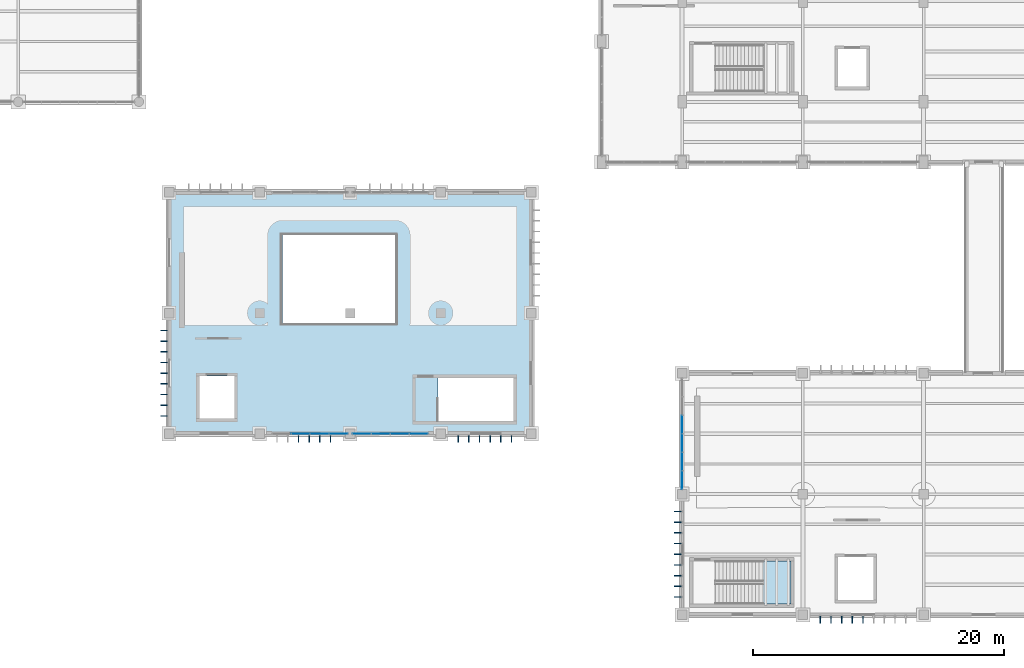
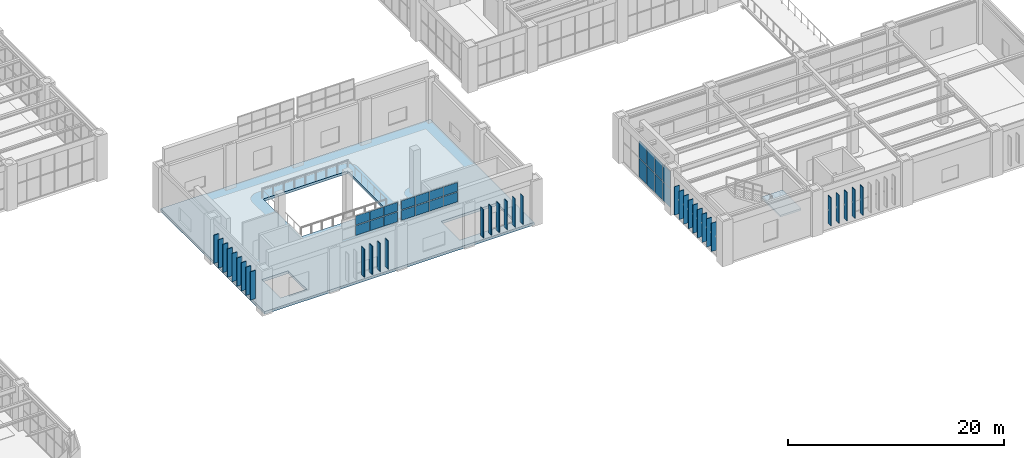
# One storey, part 126 of 174: 55 plates, 2 slabs, 4 elements without a shape of their own.
"""IFC4 building model written with IfcOpenShell, lengths in metres."""

from ifc_helpers import new_model, si_unit, direction, frame, origin, origin_2d, place, context, subcontext, project, spatial, polyline, rectangle, outline, extrude, material, layer, layer_set, type_object, element, aggregate, save


model = new_model("IFC4")

# Units and contexts
model_context = context("Model", 3, precision=1e-05, world=origin(), true_north=direction((0.0, 1.0)))
body_context = subcontext(model_context, "Body", "Model", "MODEL_VIEW")
ifc_project = project(units=[si_unit("LENGTHUNIT", "METRE"), si_unit("AREAUNIT", "SQUARE_METRE"), si_unit("VOLUMEUNIT", "CUBIC_METRE"), si_unit("PLANEANGLEUNIT", "RADIAN"), si_unit("MASSUNIT", "GRAM", prefix="KILO")], contexts=[model_context])

# Site, building, storey
site_placement = place(None, origin())
site = spatial("IfcSite", under=ifc_project, at=site_placement, CompositionType="ELEMENT")
building_placement = place(site_placement, origin())
building = spatial("IfcBuilding", under=site, at=building_placement, Name="Mavantir Sound Aquarium", CompositionType="ELEMENT")
storey_placement = place(building_placement, frame((0.0, 0.0, 5.39990234375)))
storey = spatial("IfcBuildingStorey", under=building, at=storey_placement, Name="L01", CompositionType="ELEMENT", Elevation=5.39990234375)

# Curtain wall, plates
ifc_material_1 = material(Name="Anodised Marine Aluminium and Low-E Glass", Category="aluminium")
curtain_wall_type_1 = type_object("IfcCurtainWallType", Name="CW-T01", PredefinedType="USERDEFINED", material=ifc_material_1)
curtain_wall_1_placement = place(storey_placement, origin())
curtain_wall_1 = element("IfcCurtainWall", 1, at=curtain_wall_1_placement, inside=storey, type_object=curtain_wall_type_1, Name="L01 unitised curtain wall CW-01 121", ObjectType="UNITISED GLAZING", PredefinedType="USERDEFINED")
ifc_material_2 = material(Name="Solar-Control Laminated Low-E Glass", Category="glass")
ifc_layer_1 = layer(ifc_material_2, 0.028076171875, Name="Solar-Control Laminated Low-E Glass")
ifc_layer_set_1 = layer_set([ifc_layer_1], Name="Solar-Control Laminated Low-E Glass")
plate_type_1 = type_object("IfcPlateType", Name="CW-PNL-28", PredefinedType="CURTAIN_PANEL", material=ifc_layer_set_1)
plate_1_placement = place(storey_placement, frame((108.0, 15.13623046875, 0.103271484375), z_axis=(0.0, 0.0, 1.0), x_axis=(0.0, -1.0, 0.0)))
plate_1 = element("IfcPlate", 2, at=plate_1_placement, type_object=plate_type_1, Name="CW-L01-121 glazed curtain panel 3.1", PredefinedType="CURTAIN_PANEL", context=body_context, shape_type="SweptSolid", body=[
    extrude(rectangle(XDim=1.42431640625, YDim=0.028076171875, at=origin_2d()), origin(), (0.0, 0.0, 1.0), 2.08447265625),
])
plate_2_placement = place(storey_placement, frame((108.0, 15.13623046875, 2.283447265625), z_axis=(0.0, 0.0, 1.0), x_axis=(0.0, -1.0, 0.0)))
plate_2 = element("IfcPlate", 3, at=plate_2_placement, type_object=plate_type_1, Name="CW-L01-121 glazed curtain panel 3.2", PredefinedType="CURTAIN_PANEL", context=body_context, shape_type="SweptSolid", body=[
    extrude(rectangle(XDim=1.42431640625, YDim=0.028076171875, at=origin_2d()), origin(), (0.0, 0.0, 1.0), 1.91259765625),
])
plate_3_placement = place(storey_placement, frame((108.0, 13.663818359375, 0.103271484375), z_axis=(0.0, 0.0, 1.0), x_axis=(0.0, -1.0, 0.0)))
plate_3 = element("IfcPlate", 4, at=plate_3_placement, type_object=plate_type_1, Name="CW-L01-121 glazed curtain panel 4.1", PredefinedType="CURTAIN_PANEL", context=body_context, shape_type="SweptSolid", body=[
    extrude(rectangle(XDim=1.42431640625, YDim=0.028076171875, at=origin_2d()), origin(), (0.0, 0.0, 1.0), 2.08447265625),
])
plate_4_placement = place(storey_placement, frame((108.0, 13.663818359375, 2.283447265625), z_axis=(0.0, 0.0, 1.0), x_axis=(0.0, -1.0, 0.0)))
plate_4 = element("IfcPlate", 5, at=plate_4_placement, type_object=plate_type_1, Name="CW-L01-121 glazed curtain panel 4.2", PredefinedType="CURTAIN_PANEL", context=body_context, shape_type="SweptSolid", body=[
    extrude(rectangle(XDim=1.42431640625, YDim=0.028076171875, at=origin_2d()), origin(), (0.0, 0.0, 1.0), 1.91259765625),
])
plate_5_placement = place(storey_placement, frame((108.0, 12.19140625, 0.103271484375), z_axis=(0.0, 0.0, 1.0), x_axis=(0.0, -1.0, 0.0)))
plate_5 = element("IfcPlate", 6, at=plate_5_placement, type_object=plate_type_1, Name="CW-L01-121 glazed curtain panel 5.1", PredefinedType="CURTAIN_PANEL", context=body_context, shape_type="SweptSolid", body=[
    extrude(rectangle(XDim=1.42431640625, YDim=0.028076171875, at=origin_2d()), origin(), (0.0, 0.0, 1.0), 2.08447265625),
])
plate_6_placement = place(storey_placement, frame((108.0, 12.19140625, 2.283447265625), z_axis=(0.0, 0.0, 1.0), x_axis=(0.0, -1.0, 0.0)))
plate_6 = element("IfcPlate", 7, at=plate_6_placement, type_object=plate_type_1, Name="CW-L01-121 glazed curtain panel 5.2", PredefinedType="CURTAIN_PANEL", context=body_context, shape_type="SweptSolid", body=[
    extrude(rectangle(XDim=1.42431640625, YDim=0.028076171875, at=origin_2d()), origin(), (0.0, 0.0, 1.0), 1.91259765625),
])
plate_7_placement = place(storey_placement, frame((108.0, 10.71923828125, 0.103271484375), z_axis=(0.0, 0.0, 1.0), x_axis=(0.0, -1.0, 0.0)))
plate_7 = element("IfcPlate", 8, at=plate_7_placement, type_object=plate_type_1, Name="CW-L01-121 glazed curtain panel 6.1", PredefinedType="CURTAIN_PANEL", context=body_context, shape_type="SweptSolid", body=[
    extrude(rectangle(XDim=1.42431640625, YDim=0.028076171875, at=origin_2d()), origin(), (0.0, 0.0, 1.0), 2.08447265625),
])
plate_8_placement = place(storey_placement, frame((108.0, 10.71923828125, 2.283447265625), z_axis=(0.0, 0.0, 1.0), x_axis=(0.0, -1.0, 0.0)))
plate_8 = element("IfcPlate", 9, at=plate_8_placement, type_object=plate_type_1, Name="CW-L01-121 glazed curtain panel 6.2", PredefinedType="CURTAIN_PANEL", context=body_context, shape_type="SweptSolid", body=[
    extrude(rectangle(XDim=1.42431640625, YDim=0.028076171875, at=origin_2d()), origin(), (0.0, 0.0, 1.0), 1.91259765625),
])
aggregate(curtain_wall_1, [plate_1, plate_2, plate_3, plate_4, plate_5, plate_6, plate_7, plate_8])

curtain_wall_type_2 = type_object("IfcCurtainWallType", Name="CW-T16", PredefinedType="USERDEFINED", material=ifc_material_1)
curtain_wall_2_placement = place(storey_placement, origin())
curtain_wall_2 = element("IfcCurtainWall", 10, at=curtain_wall_2_placement, inside=storey, type_object=curtain_wall_type_2, Name="L01 unitised curtain wall CW-16 183", ObjectType="UNITISED GLAZING", PredefinedType="USERDEFINED")
plate_9_placement = place(storey_placement, frame((77.657470703125, 14.39990234375, 5.203125), z_axis=(0.0, 0.0, 1.0), x_axis=(1.0, 0.0, 0.0)))
plate_9 = element("IfcPlate", 11, at=plate_9_placement, type_object=plate_type_1, Name="CW-V7LUN-SW glazed curtain panel 2.1", PredefinedType="CURTAIN_PANEL", context=body_context, shape_type="SweptSolid", body=[
    extrude(rectangle(XDim=1.45703125, YDim=0.028076171875, at=origin_2d()), origin(), (0.0, 0.0, 1.0), 1.096923828125),
])
plate_10_placement = place(storey_placement, frame((77.657470703125, 14.39990234375, 6.39599609375), z_axis=(0.0, 0.0, 1.0), x_axis=(1.0, 0.0, 0.0)))
plate_10 = element("IfcPlate", 12, at=plate_10_placement, type_object=plate_type_1, Name="CW-V7LUN-SW glazed curtain panel 2.2", PredefinedType="CURTAIN_PANEL", context=body_context, shape_type="SweptSolid", body=[
    extrude(rectangle(XDim=1.45703125, YDim=0.028076171875, at=origin_2d()), origin(), (0.0, 0.0, 1.0), 1.0009765625),
])
plate_11_placement = place(storey_placement, frame((79.16259765625, 14.39990234375, 5.203125), z_axis=(0.0, 0.0, 1.0), x_axis=(1.0, 0.0, 0.0)))
plate_11 = element("IfcPlate", 13, at=plate_11_placement, type_object=plate_type_1, Name="CW-V7LUN-SW glazed curtain panel 3.1", PredefinedType="CURTAIN_PANEL", context=body_context, shape_type="SweptSolid", body=[
    extrude(rectangle(XDim=1.45703125, YDim=0.028076171875, at=origin_2d()), origin(), (0.0, 0.0, 1.0), 1.096923828125),
])
plate_12_placement = place(storey_placement, frame((79.16259765625, 14.39990234375, 6.39599609375), z_axis=(0.0, 0.0, 1.0), x_axis=(1.0, 0.0, 0.0)))
plate_12 = element("IfcPlate", 14, at=plate_12_placement, type_object=plate_type_1, Name="CW-V7LUN-SW glazed curtain panel 3.2", PredefinedType="CURTAIN_PANEL", context=body_context, shape_type="SweptSolid", body=[
    extrude(rectangle(XDim=1.45703125, YDim=0.028076171875, at=origin_2d()), origin(), (0.0, 0.0, 1.0), 1.0009765625),
])
plate_13_placement = place(storey_placement, frame((80.66748046875, 14.39990234375, 5.203125), z_axis=(0.0, 0.0, 1.0), x_axis=(1.0, 0.0, 0.0)))
plate_13 = element("IfcPlate", 15, at=plate_13_placement, type_object=plate_type_1, Name="CW-V7LUN-SW glazed curtain panel 4.1", PredefinedType="CURTAIN_PANEL", context=body_context, shape_type="SweptSolid", body=[
    extrude(rectangle(XDim=1.45703125, YDim=0.028076171875, at=origin_2d()), origin(), (0.0, 0.0, 1.0), 1.096923828125),
])
plate_14_placement = place(storey_placement, frame((80.66748046875, 14.39990234375, 6.39599609375), z_axis=(0.0, 0.0, 1.0), x_axis=(1.0, 0.0, 0.0)))
plate_14 = element("IfcPlate", 16, at=plate_14_placement, type_object=plate_type_1, Name="CW-V7LUN-SW glazed curtain panel 4.2", PredefinedType="CURTAIN_PANEL", context=body_context, shape_type="SweptSolid", body=[
    extrude(rectangle(XDim=1.45703125, YDim=0.028076171875, at=origin_2d()), origin(), (0.0, 0.0, 1.0), 1.0009765625),
])
aggregate(curtain_wall_2, [plate_9, plate_10, plate_11, plate_12, plate_13, plate_14])

curtain_wall_type_3 = type_object("IfcCurtainWallType", Name="CW-T17", PredefinedType="USERDEFINED", material=ifc_material_1)
curtain_wall_3_placement = place(storey_placement, origin())
curtain_wall_3 = element("IfcCurtainWall", 17, at=curtain_wall_3_placement, inside=storey, type_object=curtain_wall_type_3, Name="L01 unitised curtain wall CW-17 184", ObjectType="UNITISED GLAZING", PredefinedType="USERDEFINED")
ifc_layer_2 = layer(ifc_material_2, 0.031982421875, Name="Solar-Control Laminated Low-E Glass")
ifc_layer_set_2 = layer_set([ifc_layer_2], Name="Solar-Control Laminated Low-E Glass")
plate_type_2 = type_object("IfcPlateType", Name="CW-PNL-32", PredefinedType="CURTAIN_PANEL", material=ifc_layer_set_2)
plate_15_placement = place(storey_placement, frame((82.532470703125, 14.39990234375, 5.203125), z_axis=(0.0, 0.0, 1.0), x_axis=(1.0, 0.0, 0.0)))
plate_15 = element("IfcPlate", 18, at=plate_15_placement, type_object=plate_type_2, Name="CW-V7LUN-SE glazed curtain panel 1.1", PredefinedType="CURTAIN_PANEL", context=body_context, shape_type="SweptSolid", body=[
    extrude(rectangle(XDim=1.45703125, YDim=0.031982421875, at=origin_2d()), origin(), (0.0, 0.0, 1.0), 1.096923828125),
])
plate_16_placement = place(storey_placement, frame((82.532470703125, 14.39990234375, 6.39599609375), z_axis=(0.0, 0.0, 1.0), x_axis=(1.0, 0.0, 0.0)))
plate_16 = element("IfcPlate", 19, at=plate_16_placement, type_object=plate_type_2, Name="CW-V7LUN-SE glazed curtain panel 1.2", PredefinedType="CURTAIN_PANEL", context=body_context, shape_type="SweptSolid", body=[
    extrude(rectangle(XDim=1.45703125, YDim=0.031982421875, at=origin_2d()), origin(), (0.0, 0.0, 1.0), 1.0009765625),
])
plate_17_placement = place(storey_placement, frame((84.03759765625, 14.39990234375, 5.203125), z_axis=(0.0, 0.0, 1.0), x_axis=(1.0, 0.0, 0.0)))
plate_17 = element("IfcPlate", 20, at=plate_17_placement, type_object=plate_type_2, Name="CW-V7LUN-SE glazed curtain panel 2.1", PredefinedType="CURTAIN_PANEL", context=body_context, shape_type="SweptSolid", body=[
    extrude(rectangle(XDim=1.45703125, YDim=0.031982421875, at=origin_2d()), origin(), (0.0, 0.0, 1.0), 1.096923828125),
])
plate_18_placement = place(storey_placement, frame((84.03759765625, 14.39990234375, 6.39599609375), z_axis=(0.0, 0.0, 1.0), x_axis=(1.0, 0.0, 0.0)))
plate_18 = element("IfcPlate", 21, at=plate_18_placement, type_object=plate_type_2, Name="CW-V7LUN-SE glazed curtain panel 2.2", PredefinedType="CURTAIN_PANEL", context=body_context, shape_type="SweptSolid", body=[
    extrude(rectangle(XDim=1.45703125, YDim=0.031982421875, at=origin_2d()), origin(), (0.0, 0.0, 1.0), 1.0009765625),
])
plate_19_placement = place(storey_placement, frame((85.54248046875, 14.39990234375, 5.203125), z_axis=(0.0, 0.0, 1.0), x_axis=(1.0, 0.0, 0.0)))
plate_19 = element("IfcPlate", 22, at=plate_19_placement, type_object=plate_type_2, Name="CW-V7LUN-SE glazed curtain panel 3.1", PredefinedType="CURTAIN_PANEL", context=body_context, shape_type="SweptSolid", body=[
    extrude(rectangle(XDim=1.45703125, YDim=0.031982421875, at=origin_2d()), origin(), (0.0, 0.0, 1.0), 1.096923828125),
])
plate_20_placement = place(storey_placement, frame((85.54248046875, 14.39990234375, 6.39599609375), z_axis=(0.0, 0.0, 1.0), x_axis=(1.0, 0.0, 0.0)))
plate_20 = element("IfcPlate", 23, at=plate_20_placement, type_object=plate_type_2, Name="CW-V7LUN-SE glazed curtain panel 3.2", PredefinedType="CURTAIN_PANEL", context=body_context, shape_type="SweptSolid", body=[
    extrude(rectangle(XDim=1.45703125, YDim=0.031982421875, at=origin_2d()), origin(), (0.0, 0.0, 1.0), 1.0009765625),
])
plate_21_placement = place(storey_placement, frame((87.047607421875, 14.39990234375, 5.203125), z_axis=(0.0, 0.0, 1.0), x_axis=(1.0, 0.0, 0.0)))
plate_21 = element("IfcPlate", 24, at=plate_21_placement, type_object=plate_type_2, Name="CW-V7LUN-SE glazed curtain panel 4.1", PredefinedType="CURTAIN_PANEL", context=body_context, shape_type="SweptSolid", body=[
    extrude(rectangle(XDim=1.45703125, YDim=0.031982421875, at=origin_2d()), origin(), (0.0, 0.0, 1.0), 1.096923828125),
])
plate_22_placement = place(storey_placement, frame((87.047607421875, 14.39990234375, 6.39599609375), z_axis=(0.0, 0.0, 1.0), x_axis=(1.0, 0.0, 0.0)))
plate_22 = element("IfcPlate", 25, at=plate_22_placement, type_object=plate_type_2, Name="CW-V7LUN-SE glazed curtain panel 4.2", PredefinedType="CURTAIN_PANEL", context=body_context, shape_type="SweptSolid", body=[
    extrude(rectangle(XDim=1.45703125, YDim=0.031982421875, at=origin_2d()), origin(), (0.0, 0.0, 1.0), 1.0009765625),
])
aggregate(curtain_wall_3, [plate_15, plate_16, plate_17, plate_18, plate_19, plate_20, plate_21, plate_22])

# Plates
ifc_material_3 = material(Name="Coral-Limestone Composite Brise-Soleil Blade", Category="masonry")
ifc_layer_3 = layer(ifc_material_3, 0.06494140625, Name="Coral-Limestone Composite Brise-Soleil Blade")
ifc_layer_set_3 = layer_set([ifc_layer_3], Name="Coral-Limestone Composite Brise-Soleil Blade")
plate_type_3 = type_object("IfcPlateType", Name="PLT-FIN-520", PredefinedType="SHEET", material=ifc_layer_set_3)
for number, where, z_axis, x_axis, name in (
    (26, (107.639892578125, 8.217041015625, 0.60302734375), (0.0, 0.0, 1.0), (0.0, 1.0, 0.0), "Tropical coral-stone brise-soleil blade 47"),
    (27, (107.639892578125, 7.366943359375, 0.60302734375), (0.0, 0.0, 1.0), (0.0, 1.0, 0.0), "Tropical coral-stone brise-soleil blade 48"),
    (28, (107.639892578125, 6.51708984375, 0.60302734375), (0.0, 0.0, 1.0), (0.0, 1.0, 0.0), "Tropical coral-stone brise-soleil blade 49"),
    (29, (107.639892578125, 5.6669921875, 0.60302734375), (0.0, 0.0, 1.0), (0.0, 1.0, 0.0), "Tropical coral-stone brise-soleil blade 50"),
    (30, (107.639892578125, 4.81689453125, 0.60302734375), (0.0, 0.0, 1.0), (0.0, 1.0, 0.0), "Tropical coral-stone brise-soleil blade 51"),
    (31, (107.639892578125, 3.967041015625, 0.60302734375), (0.0, 0.0, 1.0), (0.0, 1.0, 0.0), "Tropical coral-stone brise-soleil blade 52"),
    (32, (107.639892578125, 3.116943359375, 0.60302734375), (0.0, 0.0, 1.0), (0.0, 1.0, 0.0), "Tropical coral-stone brise-soleil blade 53"),
    (33, (107.639892578125, 2.26708984375, 0.60302734375), (0.0, 0.0, 1.0), (0.0, 1.0, 0.0), "Tropical coral-stone brise-soleil blade 54"),
    (34, (107.639892578125, 1.4169921875, 0.60302734375), (0.0, 0.0, 1.0), (0.0, 1.0, 0.0), "Tropical coral-stone brise-soleil blade 55"),
    (35, (118.98291015625, -0.39501953125, 0.65673828125), (0.0, 0.0, 1.0), (-1.0, 0.0, 0.0), "Tropical coral-stone brise-soleil blade 56"),
    (36, (119.8330078125, -0.39501953125, 0.65673828125), (0.0, 0.0, 1.0), (-1.0, 0.0, 0.0), "Tropical coral-stone brise-soleil blade 57"),
    (37, (120.68310546875, -0.39501953125, 0.65673828125), (0.0, 0.0, 1.0), (-1.0, 0.0, 0.0), "Tropical coral-stone brise-soleil blade 58"),
    (38, (121.532958984375, -0.39501953125, 0.65673828125), (0.0, 0.0, 1.0), (-1.0, 0.0, 0.0), "Tropical coral-stone brise-soleil blade 59"),
    (39, (122.383056640625, -0.39501953125, 0.65673828125), (0.0, 0.0, 1.0), (-1.0, 0.0, 0.0), "Tropical coral-stone brise-soleil blade 60"),
    (40, (66.7900390625, 22.616943359375, 0.70263671875), (0.0, 0.0, 1.0), (0.0, 1.0, 0.0), "Tropical coral-stone brise-soleil blade 95"),
    (41, (66.7900390625, 21.76708984375, 0.70263671875), (0.0, 0.0, 1.0), (0.0, 1.0, 0.0), "Tropical coral-stone brise-soleil blade 96"),
    (42, (66.7900390625, 20.9169921875, 0.70263671875), (0.0, 0.0, 1.0), (0.0, 1.0, 0.0), "Tropical coral-stone brise-soleil blade 97"),
    (43, (66.7900390625, 20.06689453125, 0.70263671875), (0.0, 0.0, 1.0), (0.0, 1.0, 0.0), "Tropical coral-stone brise-soleil blade 98"),
    (44, (66.7900390625, 19.217041015625, 0.70263671875), (0.0, 0.0, 1.0), (0.0, 1.0, 0.0), "Tropical coral-stone brise-soleil blade 99"),
    (45, (66.7900390625, 18.366943359375, 0.70263671875), (0.0, 0.0, 1.0), (0.0, 1.0, 0.0), "Tropical coral-stone brise-soleil blade 100"),
    (46, (66.7900390625, 17.51708984375, 0.70263671875), (0.0, 0.0, 1.0), (0.0, 1.0, 0.0), "Tropical coral-stone brise-soleil blade 101"),
    (47, (66.7900390625, 16.6669921875, 0.70263671875), (0.0, 0.0, 1.0), (0.0, 1.0, 0.0), "Tropical coral-stone brise-soleil blade 102"),
    (48, (66.7900390625, 15.81689453125, 0.70263671875), (0.0, 0.0, 1.0), (0.0, 1.0, 0.0), "Tropical coral-stone brise-soleil blade 103"),
    (49, (77.48291015625, 13.989990234375, 0.70263671875), (0.0, 0.0, 1.0), (-1.0, 0.0, 0.0), "Tropical coral-stone brise-soleil blade 106"),
    (50, (78.3330078125, 13.989990234375, 0.70263671875), (0.0, 0.0, 1.0), (-1.0, 0.0, 0.0), "Tropical coral-stone brise-soleil blade 107"),
    (51, (79.18310546875, 13.989990234375, 0.70263671875), (0.0, 0.0, 1.0), (-1.0, 0.0, 0.0), "Tropical coral-stone brise-soleil blade 108"),
    (52, (80.032958984375, 13.989990234375, 0.70263671875), (0.0, 0.0, 1.0), (-1.0, 0.0, 0.0), "Tropical coral-stone brise-soleil blade 109"),
    (53, (90.18310546875, 13.989990234375, 0.70263671875), (0.0, 0.0, 1.0), (-1.0, 0.0, 0.0), "Tropical coral-stone brise-soleil blade 110"),
    (54, (91.032958984375, 13.989990234375, 0.70263671875), (0.0, 0.0, 1.0), (-1.0, 0.0, 0.0), "Tropical coral-stone brise-soleil blade 111"),
    (55, (91.883056640625, 13.989990234375, 0.70263671875), (0.0, 0.0, 1.0), (-1.0, 0.0, 0.0), "Tropical coral-stone brise-soleil blade 112"),
    (56, (92.73291015625, 13.989990234375, 0.70263671875), (0.0, 0.0, 1.0), (-1.0, 0.0, 0.0), "Tropical coral-stone brise-soleil blade 113"),
    (57, (93.5830078125, 13.989990234375, 0.70263671875), (0.0, 0.0, 1.0), (-1.0, 0.0, 0.0), "Tropical coral-stone brise-soleil blade 114"),
    (58, (94.43310546875, 13.989990234375, 0.70263671875), (0.0, 0.0, 1.0), (-1.0, 0.0, 0.0), "Tropical coral-stone brise-soleil blade 115"),
):
    element("IfcPlate", number, at=place(storey_placement, frame(where, z_axis=z_axis, x_axis=x_axis)), inside=storey, type_object=plate_type_3, Name=name, PredefinedType="SHEET", context=body_context, shape_type="SweptSolid", body=[
        extrude(rectangle(XDim=0.06494140625, YDim=0.5400390625, at=origin_2d()), origin(), (0.0, 0.0, 1.0), 3.199951171875),
    ])

# Slab
ifc_material_4 = material(Name="Concrete C40/50", Category="concrete")
ifc_layer_4 = layer(ifc_material_4, 0.300048828125, Name="Concrete C40/50")
ifc_layer_set_4 = layer_set([ifc_layer_4], Name="Concrete C40/50")
slab_type_1 = type_object("IfcSlabType", Name="SLB-FS-03", PredefinedType="FLOOR", material=ifc_layer_set_4)
slab_1_placement = place(storey_placement, frame((0.0, 0.0, -0.2998046875)))
element("IfcSlab", 59, at=slab_1_placement, inside=storey, type_object=slab_type_1, Name="L01 structural slab FS-03 (V7)", PredefinedType="FLOOR", context=body_context, shape_type="SweptSolid", body=[
    extrude(outline(polyline([(96.0, 14.39990234375), (96.0, 33.60009765625), (67.199951171875, 33.60009765625), (67.199951171875, 14.39990234375), (96.0, 14.39990234375)]), holes=[polyline([(76.199951171875, 23.199951171875), (85.199951171875, 23.199951171875), (85.199951171875, 30.199951171875), (76.199951171875, 30.199951171875), (76.199951171875, 23.199951171875)]), polyline([(88.60009765625, 15.39990234375), (94.60009765625, 15.39990234375), (94.60009765625, 18.85009765625), (88.60009765625, 18.85009765625), (88.60009765625, 15.39990234375)]), polyline([(69.60009765625, 15.60009765625), (72.39990234375, 15.60009765625), (72.39990234375, 19.0), (69.60009765625, 19.0), (69.60009765625, 15.60009765625)])]), origin(), (0.0, 0.0, 1.0), 0.2998046875),
])

# Stair, slab
stair_type = type_object("IfcStairType", Name="STR-1650-5100", PredefinedType="HALF_TURN_STAIR", material=ifc_material_4)
stair_placement = place(storey_placement, origin())
stair = element("IfcStair", 60, at=stair_placement, inside=storey, type_object=stair_type, Name="L01 Protected exit stair ST6", PredefinedType="HALF_TURN_STAIR")
ifc_layer_5 = layer(ifc_material_4, 0.199951171875, Name="Concrete C40/50")
ifc_layer_set_5 = layer_set([ifc_layer_5], Name="Concrete C40/50")
slab_type_2 = type_object("IfcSlabType", Name="SLB-LND-360", PredefinedType="LANDING", material=ifc_layer_set_5)
slab_2_placement = place(storey_placement, frame((0.0, 0.0, 2.35009765625)))
slab_2 = element("IfcSlab", 61, at=slab_2_placement, type_object=slab_type_2, Name="ST6 landing 1", PredefinedType="LANDING", context=body_context, shape_type="SweptSolid", body=[
    extrude(outline(polyline([(114.419921875, 0.85009765625), (116.64990234375, 0.85009765625), (116.64990234375, 4.300048828125), (114.419921875, 4.300048828125), (114.419921875, 0.85009765625)])), origin(), (0.0, 0.0, 1.0), 0.199951171875),
])
aggregate(stair, [slab_2])

save(model, "model.ifc")
